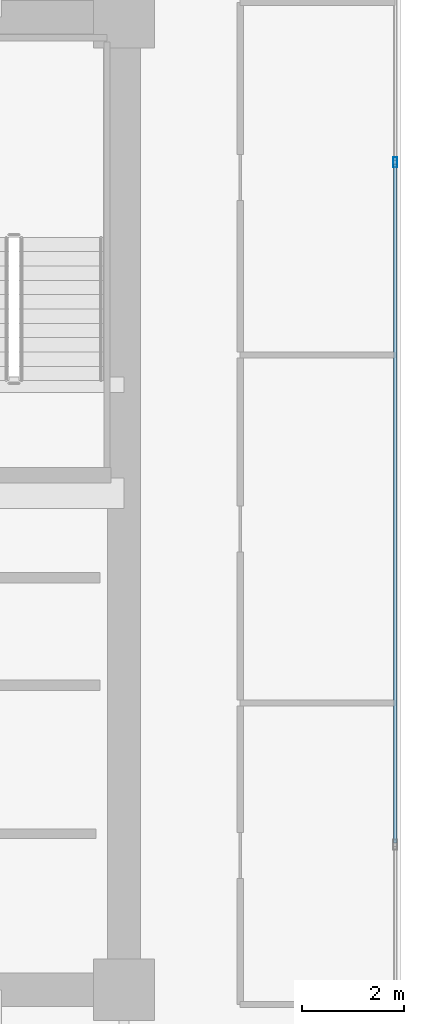
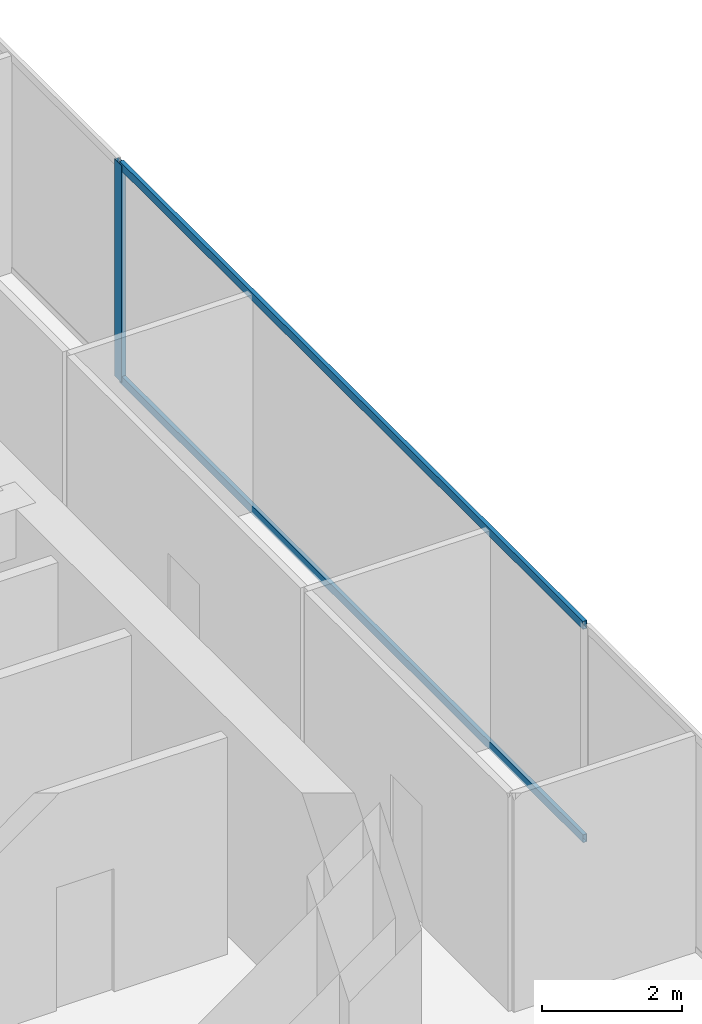
# One storey, part 22 of 30: 3 members, 1 element without a shape of its own.
"""IFC4 building model written with IfcOpenShell, lengths in metres."""

from ifc_helpers import new_model, si_unit, direction, frame, origin, origin_2d, place, context, subcontext, project, spatial, hollow_rectangle, extrude, source, transform, mapped, material, layer, layer_set, material_profile, profile_set, type_object, type_shapes, element, aggregate, save


model = new_model("IFC4")

# Units and contexts
model_context = context("Model", 3, precision=1e-05, world=origin(), true_north=direction((0.0, 1.0)))
body_context = subcontext(model_context, "Body", "Model", "MODEL_VIEW")
ifc_project = project(units=[si_unit("LENGTHUNIT", "METRE"), si_unit("AREAUNIT", "SQUARE_METRE"), si_unit("VOLUMEUNIT", "CUBIC_METRE"), si_unit("PLANEANGLEUNIT", "RADIAN"), si_unit("MASSUNIT", "GRAM", prefix="KILO")], contexts=[model_context])

# Site, building, storey
site_placement = place(None, origin())
site = spatial("IfcSite", under=ifc_project, at=site_placement, CompositionType="ELEMENT")
building_placement = place(site_placement, origin())
building = spatial("IfcBuilding", under=site, at=building_placement, Name="Haelvirn Gate Laboratories", CompositionType="ELEMENT")
storey_placement = place(building_placement, frame((0.0, 0.0, 170.699951171875)))
storey = spatial("IfcBuildingStorey", under=building, at=storey_placement, Name="L41", CompositionType="ELEMENT", Elevation=170.699951171875)

# Curtain wall, members
ifc_material_1 = material(Name="Anodised bronze unitised aluminium & triple low-E glass", Category="aluminium")
ifc_layer = layer(ifc_material_1, 0.179931640625, Name="CW-SYS-3")
ifc_layer_set = layer_set([ifc_layer], Name="Anodised bronze unitised aluminium & triple low-E glass")
curtain_wall_type = type_object("IfcCurtainWallType", Name="CW-SYS-3", PredefinedType="NOTDEFINED", material=ifc_layer_set)
curtain_wall_placement = place(storey_placement, origin())
curtain_wall = element("IfcCurtainWall", 1, at=curtain_wall_placement, inside=storey, type_object=curtain_wall_type, Name="L41 Unitised Curtain Wall CW-L41-P0-E07", PredefinedType="NOTDEFINED")
ifc_material_2 = material(Name="Extruded aluminium 6063-T6 (anodised bronze)", Category="aluminium")
ifc_material_profile_1 = material_profile(ifc_material_2, hollow_rectangle(XDim=0.06494140625, YDim=0.139892578125, WallThickness=0.00390625, at=origin_2d()), Name="CWT-140x65x4")
ifc_profile_set_1 = profile_set([ifc_material_profile_1], Name="Extruded aluminium 6063-T6 (anodised bronze)")
member_type_1 = type_object("IfcMemberType", Name="CWT-T140", PredefinedType="USERDEFINED", material=ifc_profile_set_1)
shared_shape_1 = source(origin(), body_context, "Body", "SweptSolid", [
    extrude(hollow_rectangle(XDim=0.06494140625, YDim=0.139892578125, WallThickness=0.00390625, at=origin_2d()), origin(), (0.0, 0.0, 1.0), 13.25830078125),
])
type_shapes(member_type_1, [shared_shape_1])
member_1_placement = place(storey_placement, frame((72.699951171875, 17.6708984375, 0.032470703125), z_axis=(0.0, 1.0, 0.0), x_axis=(-1.0, 0.0, 0.0)))
member_1 = element("IfcMember", 2, at=member_1_placement, type_object=member_type_1, Name="CW3 transom 2.1", ObjectType="TRANSOM", PredefinedType="USERDEFINED", context=body_context, shape_type="MappedRepresentation", body=[
    mapped(shared_shape_1, transform((0.0, 0.0, 0.0), scale=1.0)),
])
member_2_placement = place(storey_placement, frame((72.699951171875, 17.6708984375, 3.757568359375), z_axis=(0.0, 1.0, 0.0), x_axis=(-1.0, 0.0, 0.0)))
member_2 = element("IfcMember", 3, at=member_2_placement, type_object=member_type_1, Name="CW3 transom 2.2", ObjectType="TRANSOM", PredefinedType="USERDEFINED", context=body_context, shape_type="MappedRepresentation", body=[
    mapped(shared_shape_1, transform((0.0, 0.0, 0.0), scale=1.0)),
])
ifc_material_profile_2 = material_profile(ifc_material_2, hollow_rectangle(XDim=0.074951171875, YDim=0.199951171875, WallThickness=0.0048828125, at=origin_2d()), Name="CWM-200x75x5")
ifc_profile_set_2 = profile_set([ifc_material_profile_2], Name="Extruded aluminium 6063-T6 (anodised bronze)")
member_type_2 = type_object("IfcMemberType", Name="CWM-T200", PredefinedType="MULLION", material=ifc_profile_set_2)
shared_shape_2 = source(origin(), body_context, "Body", "SweptSolid", [
    extrude(hollow_rectangle(XDim=0.074951171875, YDim=0.199951171875, WallThickness=0.0048828125, at=origin_2d()), origin(), (0.0, 0.0, 1.0), 3.7900390625),
])
type_shapes(member_type_2, [shared_shape_2])
member_3_placement = place(storey_placement, frame((72.699951171875, 30.966552734375, 0.0), z_axis=(0.0, 0.0, 1.0), x_axis=(-1.0, 0.0, 0.0)))
member_3 = element("IfcMember", 4, at=member_3_placement, type_object=member_type_2, Name="CW3 mullion 3", PredefinedType="MULLION", context=body_context, shape_type="MappedRepresentation", body=[
    mapped(shared_shape_2, transform((0.0, 0.0, 0.0), scale=1.0)),
])
aggregate(curtain_wall, [member_3, member_1, member_2])

save(model, "model.ifc")
